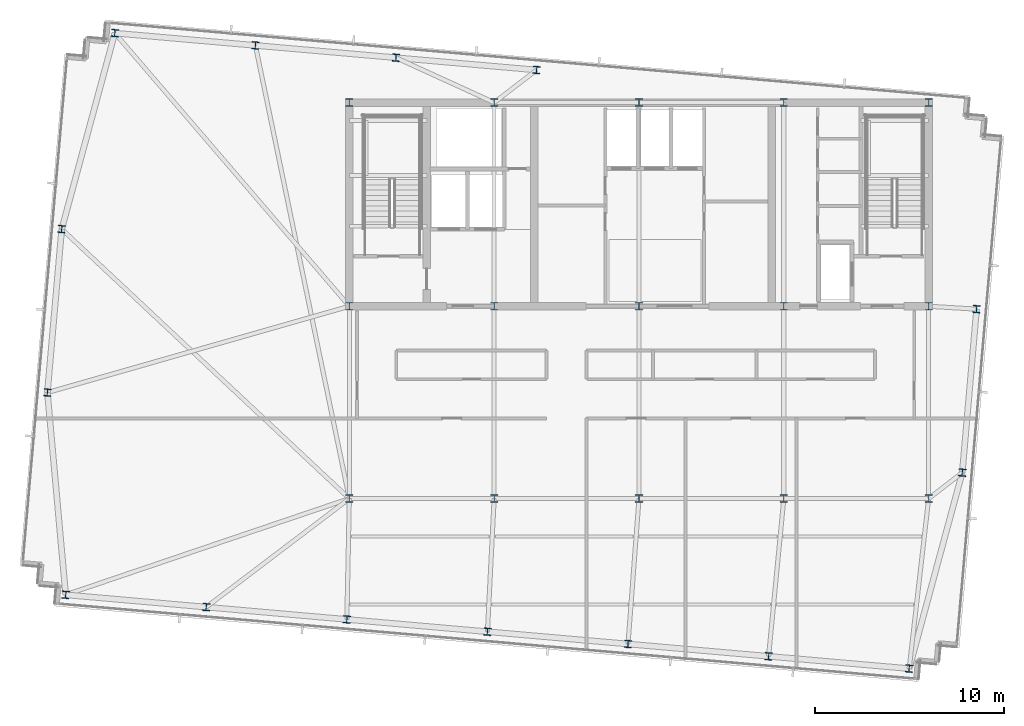
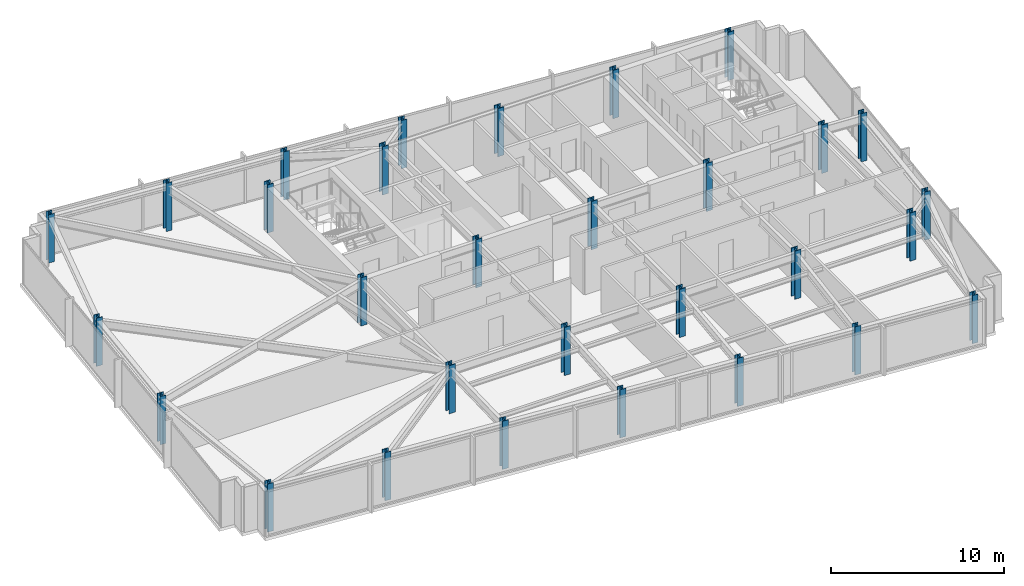
# One storey, part 1 of 32: 30 columns.
"""IFC4 building model written with IfcOpenShell, lengths in metres."""

from ifc_helpers import new_model, si_unit, direction, frame, origin, origin_2d, place, context, subcontext, project, spatial, i_section, extrude, material, material_profile, profile_set, type_object, element, save


model = new_model("IFC4")

# Units and contexts
model_context = context("Model", 3, precision=1e-05, world=origin(), true_north=direction((0.0, 1.0)))
body_context = subcontext(model_context, "Body", "Model", "MODEL_VIEW")
ifc_project = project(units=[si_unit("LENGTHUNIT", "METRE"), si_unit("AREAUNIT", "SQUARE_METRE"), si_unit("VOLUMEUNIT", "CUBIC_METRE"), si_unit("PLANEANGLEUNIT", "RADIAN"), si_unit("MASSUNIT", "GRAM", prefix="KILO")], contexts=[model_context])

# Site, building, storey
site_placement = place(None, origin())
site = spatial("IfcSite", under=ifc_project, at=site_placement, CompositionType="ELEMENT")
building_placement = place(site_placement, origin())
building = spatial("IfcBuilding", under=site, at=building_placement, Name="Yelkora Congress Tower", CompositionType="ELEMENT")
storey_placement = place(building_placement, frame((0.0, 0.0, 293.10009765625)))
storey = spatial("IfcBuildingStorey", under=building, at=storey_placement, Name="L82", CompositionType="ELEMENT", Elevation=293.10009765625)

# Columns
ifc_material_1 = material(Name="Steel S355J2", Category="steel")
ifc_material_profile_1 = material_profile(ifc_material_1, i_section(OverallWidth=0.3779296875, OverallDepth=0.386962890625, WebThickness=0.0205078125, FlangeThickness=0.033203125, FilletRadius=0.014892578125, at=origin_2d()), Name="HD 360x262")
ifc_profile_set_1 = profile_set([ifc_material_profile_1], Name="Steel S355J2")
column_type_1 = type_object("IfcColumnType", Name="COL-HD-262-EXT", PredefinedType="COLUMN", material=ifc_profile_set_1)
for number, where, z_axis, x_axis, name in (
    (1, (7.998046875, 20.097900390625, 0.0), (0.0, 0.0, 1.0), (0.996194698092, -0.087155742748, 0.0), "L82 Perimeter Column S01"),
    (2, (15.452880859375, 19.445556640625, 0.0), (0.0, 0.0, 1.0), (0.996194698092, -0.087155742748, 0.0), "L82 Perimeter Column S02"),
    (3, (22.90771484375, 18.793212890625, 0.0), (0.0, 0.0, 1.0), (0.996194698092, -0.087155742748, 0.0), "L82 Perimeter Column S03"),
    (4, (30.362548828125, 18.14111328125, 0.0), (0.0, 0.0, 1.0), (0.996194698092, -0.087155742748, 0.0), "L82 Perimeter Column S04"),
    (5, (37.8173828125, 17.489013671875, 0.0), (0.0, 0.0, 1.0), (0.996194698092, -0.087155742748, 0.0), "L82 Perimeter Column S05"),
    (6, (45.2724609375, 16.836669921875, 0.0), (0.0, 0.0, 1.0), (0.996194698092, -0.087155742748, 0.0), "L82 Perimeter Column S06"),
    (7, (52.727294921875, 16.1845703125, 0.0), (0.0, 0.0, 1.0), (0.996194698092, -0.087155742748, 0.0), "L82 Perimeter Column S07"),
    (8, (10.60400390625, 49.884033203125, 0.0), (0.0, 0.0, 1.0), (0.996194698092, -0.087155742748, 0.0), "L82 Perimeter Column N01"),
    (9, (18.058837890625, 49.231689453125, 0.0), (0.0, 0.0, 1.0), (0.996194698092, -0.087155742748, 0.0), "L82 Perimeter Column N02"),
    (10, (25.513916015625, 48.57958984375, 0.0), (0.0, 0.0, 1.0), (0.996194698092, -0.087155742748, 0.0), "L82 Perimeter Column N03"),
    (11, (32.968505859375, 47.927490234375, 0.0), (0.0, 0.0, 1.0), (0.996194698092, -0.087155742748, 0.0), "L82 Perimeter Column N04"),
    (12, (7.029052734375, 30.822998046875, 0.0), (0.0, 0.0, 1.0), (0.996194698092, -0.087155742748, 0.0), "L82 Perimeter Column W01"),
    (13, (55.543701171875, 26.57861328125, 0.0), (0.0, 0.0, 1.0), (0.996194698092, -0.087155742748, 0.0), "L82 Perimeter Column E01"),
    (14, (7.787353515625, 39.489990234375, 0.0), (0.0, 0.0, 1.0), (0.996194698092, -0.087155742748, 0.0), "L82 Perimeter Column W02"),
    (15, (56.302001953125, 35.24560546875, 0.0), (0.0, 0.0, 1.0), (0.996194698092, -0.087155742748, 0.0), "L82 Perimeter Column E02"),
):
    element("IfcColumn", number, at=place(storey_placement, frame(where, z_axis=z_axis, x_axis=x_axis)), inside=storey, type_object=column_type_1, Name=name, PredefinedType="COLUMN", context=body_context, shape_type="SweptSolid", body=[
        extrude(i_section(OverallWidth=0.3779296875, OverallDepth=0.386962890625, WebThickness=0.0205078125, FlangeThickness=0.033203125, FilletRadius=0.014892578125, at=origin_2d()), origin(), (0.0, 0.0, 1.0), 3.39990234375),
    ])
ifc_material_2 = material(Name="Steel S460M", Category="steel")
ifc_material_profile_2 = material_profile(ifc_material_2, i_section(OverallWidth=0.406005859375, OverallDepth=0.416015625, WebThickness=0.02978515625, FlangeThickness=0.048095703125, FilletRadius=0.014892578125, at=origin_2d()), Name="HD 400x382")
ifc_profile_set_2 = profile_set([ifc_material_profile_2], Name="Steel S460M")
column_type_2 = type_object("IfcColumnType", Name="COL-HD-382", PredefinedType="COLUMN", material=ifc_profile_set_2)
for number, where, z_axis, x_axis, name in (
    (16, (23.0400390625, 35.39990234375, 0.0), (0.0, 0.0, 1.0), (1.0, 0.0, 0.0), "L82 Mega Column MC-S1"),
    (17, (23.0400390625, 46.199951171875, 0.0), (0.0, 0.0, 1.0), (1.0, 0.0, 0.0), "L82 Mega Column MC-N1"),
    (18, (23.0400390625, 25.199951171875, 0.0), (0.0, 0.0, 1.0), (1.0, 0.0, 0.0), "L82 Mega Column MC-D1"),
    (19, (30.719970703125, 35.39990234375, 0.0), (0.0, 0.0, 1.0), (1.0, 0.0, 0.0), "L82 Mega Column MC-S2"),
    (20, (30.719970703125, 46.199951171875, 0.0), (0.0, 0.0, 1.0), (1.0, 0.0, 0.0), "L82 Mega Column MC-N2"),
    (21, (30.719970703125, 25.199951171875, 0.0), (0.0, 0.0, 1.0), (1.0, 0.0, 0.0), "L82 Mega Column MC-D2"),
    (22, (38.39990234375, 35.39990234375, 0.0), (0.0, 0.0, 1.0), (1.0, 0.0, 0.0), "L82 Mega Column MC-S3"),
    (23, (38.39990234375, 46.199951171875, 0.0), (0.0, 0.0, 1.0), (1.0, 0.0, 0.0), "L82 Mega Column MC-N3"),
    (24, (38.39990234375, 25.199951171875, 0.0), (0.0, 0.0, 1.0), (1.0, 0.0, 0.0), "L82 Mega Column MC-D3"),
    (25, (46.080078125, 35.39990234375, 0.0), (0.0, 0.0, 1.0), (1.0, 0.0, 0.0), "L82 Mega Column MC-S4"),
    (26, (46.080078125, 46.199951171875, 0.0), (0.0, 0.0, 1.0), (1.0, 0.0, 0.0), "L82 Mega Column MC-N4"),
    (27, (46.080078125, 25.199951171875, 0.0), (0.0, 0.0, 1.0), (1.0, 0.0, 0.0), "L82 Mega Column MC-D4"),
    (28, (53.760009765625, 35.39990234375, 0.0), (0.0, 0.0, 1.0), (1.0, 0.0, 0.0), "L82 Mega Column MC-S5"),
    (29, (53.760009765625, 46.199951171875, 0.0), (0.0, 0.0, 1.0), (1.0, 0.0, 0.0), "L82 Mega Column MC-N5"),
    (30, (53.760009765625, 25.199951171875, 0.0), (0.0, 0.0, 1.0), (1.0, 0.0, 0.0), "L82 Mega Column MC-D5"),
):
    element("IfcColumn", number, at=place(storey_placement, frame(where, z_axis=z_axis, x_axis=x_axis)), inside=storey, type_object=column_type_2, Name=name, PredefinedType="COLUMN", context=body_context, shape_type="SweptSolid", body=[
        extrude(i_section(OverallWidth=0.406005859375, OverallDepth=0.416015625, WebThickness=0.02978515625, FlangeThickness=0.048095703125, FilletRadius=0.014892578125, at=origin_2d()), origin(), (0.0, 0.0, 1.0), 3.39990234375),
    ])

save(model, "model.ifc")
